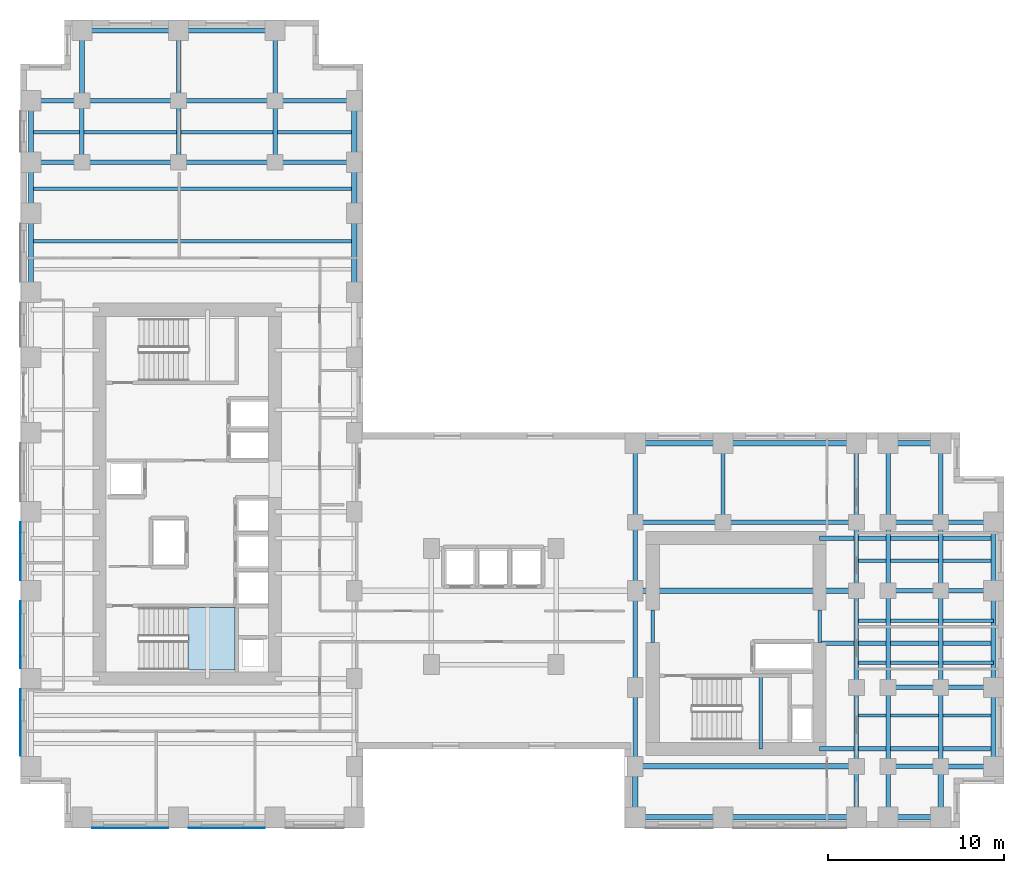
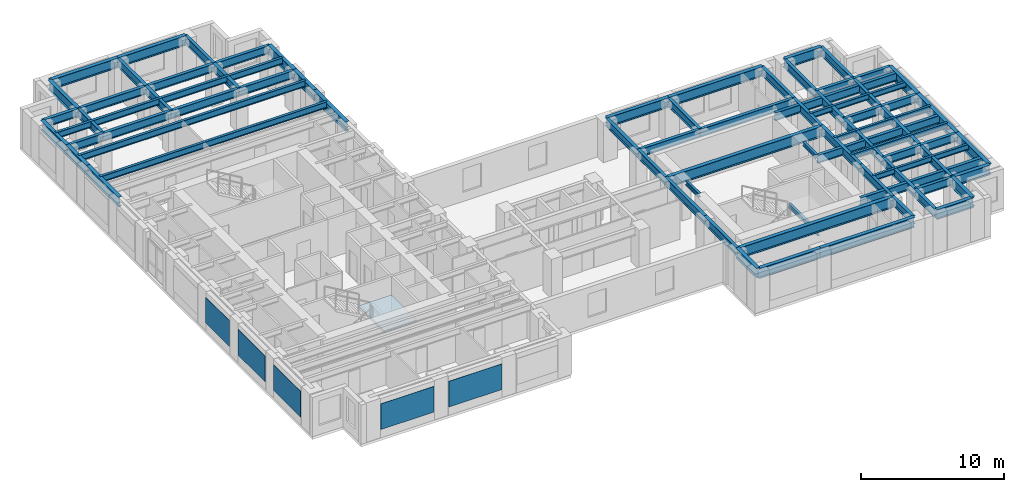
# One storey, part 5 of 14: 77 beams, 5 plates, 1 slab, 1 element without a shape of its own.
"""IFC4 building model written with IfcOpenShell, lengths in metres."""

from ifc_helpers import new_model, si_unit, direction, frame, origin, origin_2d, place, context, subcontext, project, spatial, polyline, rectangle, i_section, outline, extrude, source, transform, mapped, material, layer, layer_set, material_profile, profile_set, type_object, element, aggregate, save


model = new_model("IFC4")

# Units and contexts
model_context = context("Model", 3, precision=1e-05, world=origin(), true_north=direction((0.0, 1.0)))
body_context = subcontext(model_context, "Body", "Model", "MODEL_VIEW")
ifc_project = project(units=[si_unit("LENGTHUNIT", "METRE"), si_unit("AREAUNIT", "SQUARE_METRE"), si_unit("VOLUMEUNIT", "CUBIC_METRE"), si_unit("PLANEANGLEUNIT", "RADIAN"), si_unit("MASSUNIT", "GRAM", prefix="KILO")], contexts=[model_context])

# Site, building, storey
site_placement = place(None, origin())
site = spatial("IfcSite", under=ifc_project, at=site_placement, CompositionType="ELEMENT")
building_placement = place(site_placement, origin())
building = spatial("IfcBuilding", under=site, at=building_placement, Name="Kharzan Plaza Tower", CompositionType="ELEMENT")
storey_placement = place(building_placement, frame((0.0, 0.0, 81.0)))
storey = spatial("IfcBuildingStorey", under=building, at=storey_placement, Name="L21", CompositionType="ELEMENT", Elevation=81.0)

# Beams
ifc_material_1 = material(Name="Steel S355", Category="steel")
ifc_material_profile_1 = material_profile(ifc_material_1, i_section(OverallWidth=0.205078125, OverallDepth=0.35400390625, WebThickness=0.009521484375, FlangeThickness=0.016845703125, at=origin_2d()), Name="W360x79")
ifc_profile_set_1 = profile_set([ifc_material_profile_1], Name="Steel S355")
beam_type_1 = type_object("IfcBeamType", Name="BM-LNT360", PredefinedType="LINTEL", material=ifc_profile_set_1)
shared_shape_1 = source(origin(), body_context, "Body", "SweptSolid", [
    extrude(i_section(OverallWidth=0.205078125, OverallDepth=0.35400390625, WebThickness=0.009521484375, FlangeThickness=0.016845703125, at=origin_2d()), origin(), (0.0, 0.0, 1.0), 1.849853515625),
])
for number, where, z_axis, x_axis, name in (
    (1, (45.5, 10.550048828125, 3.202880859375), (0.0, 1.0, 0.0), (-1.0, 0.0, 0.0), "L21 CORE-B coupling lintel LN1-WE"),
    (2, (36.0, 10.550048828125, 3.202880859375), (0.0, 1.0, 0.0), (-1.0, 0.0, 0.0), "L21 CORE-B coupling lintel LN1-WW"),
):
    element("IfcBeam", number, at=place(storey_placement, frame(where, z_axis=z_axis, x_axis=x_axis)), inside=storey, type_object=beam_type_1, Name=name, PredefinedType="LINTEL", context=body_context, shape_type="MappedRepresentation", body=[
        mapped(shared_shape_1, transform((0.0, 0.0, 0.0), x_axis=(1.0, 0.0, 0.0), y_axis=(0.0, 1.0, 0.0), z_axis=(0.0, 0.0, 1.0))),
    ])
shared_shape_2 = source(origin(), body_context, "Body", "SweptSolid", [
    extrude(i_section(OverallWidth=0.205078125, OverallDepth=0.35400390625, WebThickness=0.009521484375, FlangeThickness=0.016845703125, at=origin_2d()), origin(), (0.0, 0.0, 1.0), 4.155029296875),
])
beam_1_placement = place(storey_placement, frame((42.14990234375, 4.5, 1.423095703125), z_axis=(0.0, 1.0, 0.0), x_axis=(-1.0, 0.0, 0.0)))
element("IfcBeam", 3, at=beam_1_placement, inside=storey, type_object=beam_type_1, Name="L21 Stair ST-3 Half-Landing Beam", PredefinedType="LINTEL", context=body_context, shape_type="MappedRepresentation", body=[
    mapped(shared_shape_2, transform((0.0, 0.0, 0.0), x_axis=(1.0, 0.0, 0.0), y_axis=(0.0, 1.0, 0.0), z_axis=(0.0, 0.0, 1.0))),
])
ifc_material_profile_2 = material_profile(ifc_material_1, i_section(OverallWidth=0.304931640625, OverallDepth=0.9189453125, WebThickness=0.017333984375, FlangeThickness=0.02783203125, at=origin_2d()), Name="W920x253")
ifc_profile_set_2 = profile_set([ifc_material_profile_2], Name="Steel S355")
beam_type_2 = type_object("IfcBeamType", Name="BM-FG920B", PredefinedType="BEAM", material=ifc_profile_set_2)
shared_shape_3 = source(origin(), body_context, "Body", "SweptSolid", [
    extrude(i_section(OverallWidth=0.304931640625, OverallDepth=0.9189453125, WebThickness=0.017333984375, FlangeThickness=0.02783203125, at=origin_2d()), origin(), (0.0, 0.0, 1.0), 12.60009765625),
])
for number, where, z_axis, x_axis, name in (
    (4, (35.0, 3.5, 2.92041015625), (1.0, 0.0, 0.0), (0.0, 1.0, 0.0), "L21 Primary Floor Girder"),
    (5, (35.0, 13.5, 2.92041015625), (1.0, 0.0, 0.0), (0.0, 1.0, 0.0), "L21 Primary Floor Girder"),
):
    element("IfcBeam", number, at=place(storey_placement, frame(where, z_axis=z_axis, x_axis=x_axis)), inside=storey, type_object=beam_type_2, Name=name, PredefinedType="BEAM", context=body_context, shape_type="MappedRepresentation", body=[
        mapped(shared_shape_3, transform((0.0, 0.0, 0.0), x_axis=(1.0, 0.0, 0.0), y_axis=(0.0, 1.0, 0.0), z_axis=(0.0, 0.0, 1.0))),
    ])
ifc_material_profile_3 = material_profile(ifc_material_1, i_section(OverallWidth=0.2099609375, OverallDepth=0.537109375, WebThickness=0.010986328125, FlangeThickness=0.017333984375, at=origin_2d()), Name="W530x101")
ifc_profile_set_3 = profile_set([ifc_material_profile_3], Name="Steel S355")
beam_type_3 = type_object("IfcBeamType", Name="BM-JST530B", PredefinedType="JOIST", material=ifc_profile_set_3)
shared_shape_4 = source(origin(), body_context, "Body", "SweptSolid", [
    extrude(i_section(OverallWidth=0.2099609375, OverallDepth=0.537109375, WebThickness=0.010986328125, FlangeThickness=0.017333984375, at=origin_2d()), origin(), (0.0, 0.0, 1.0), 18.39990234375),
])
for number, where, z_axis, x_axis, name in (
    (6, (0.60009765625, 33.39990234375, 3.111572265625), (1.0, 0.0, 0.0), (0.0, 1.0, 0.0), "L21 Wing A Composite Joist 05"),
    (7, (0.60009765625, 36.39990234375, 3.111572265625), (1.0, 0.0, 0.0), (0.0, 1.0, 0.0), "L21 Wing A Composite Joist 06"),
    (8, (0.60009765625, 39.60009765625, 3.111572265625), (1.0, 0.0, 0.0), (0.0, 1.0, 0.0), "L21 Wing A Composite Joist 07"),
):
    element("IfcBeam", number, at=place(storey_placement, frame(where, z_axis=z_axis, x_axis=x_axis)), inside=storey, type_object=beam_type_3, Name=name, PredefinedType="JOIST", context=body_context, shape_type="MappedRepresentation", body=[
        mapped(shared_shape_4, transform((0.0, 0.0, 0.0), x_axis=(1.0, 0.0, 0.0), y_axis=(0.0, 1.0, 0.0), z_axis=(0.0, 0.0, 1.0))),
    ])
ifc_material_profile_4 = material_profile(ifc_material_1, i_section(OverallWidth=0.25390625, OverallDepth=0.68798828125, WebThickness=0.01318359375, FlangeThickness=0.02099609375, at=origin_2d()), Name="W690x152")
ifc_profile_set_4 = profile_set([ifc_material_profile_4], Name="Steel S355")
beam_type_4 = type_object("IfcBeamType", Name="BM-FG690B", PredefinedType="BEAM", material=ifc_profile_set_4)
shared_shape_5 = source(origin(), body_context, "Body", "SweptSolid", [
    extrude(i_section(OverallWidth=0.25390625, OverallDepth=0.68798828125, WebThickness=0.01318359375, FlangeThickness=0.02099609375, at=origin_2d()), origin(), (0.0, 0.0, 1.0), 4.5),
])
for number, where, z_axis, x_axis, name in (
    (9, (35.0, 3.5, 3.035888671875), (0.0, 1.0, 0.0), (-1.0, 0.0, 0.0), "L21 Interior Frame Girder"),
    (10, (35.0, 17.39990234375, 3.035888671875), (0.0, 1.0, 0.0), (-1.0, 0.0, 0.0), "L21 Interior Frame Girder"),
    (11, (40.0, 17.39990234375, 3.035888671875), (0.0, 1.0, 0.0), (-1.0, 0.0, 0.0), "L21 Interior Frame Girder"),
    (12, (47.60009765625, 3.5, 3.035888671875), (0.0, 1.0, 0.0), (-1.0, 0.0, 0.0), "L21 Interior Frame Girder"),
    (13, (47.60009765625, 17.39990234375, 3.035888671875), (0.0, 1.0, 0.0), (-1.0, 0.0, 0.0), "L21 Interior Frame Girder"),
    (14, (49.39990234375, 3.5, 3.035888671875), (0.0, 1.0, 0.0), (-1.0, 0.0, 0.0), "L21 Interior Frame Girder"),
    (15, (49.39990234375, 17.39990234375, 3.035888671875), (0.0, 1.0, 0.0), (-1.0, 0.0, 0.0), "L21 Interior Frame Girder"),
    (16, (52.39990234375, 3.5, 3.035888671875), (0.0, 1.0, 0.0), (-1.0, 0.0, 0.0), "L21 Interior Frame Girder"),
    (17, (52.39990234375, 17.39990234375, 3.035888671875), (0.0, 1.0, 0.0), (-1.0, 0.0, 0.0), "L21 Interior Frame Girder"),
    (18, (14.5, 37.89990234375, 3.035888671875), (1.0, 0.0, 0.0), (0.0, 1.0, 0.0), "L21 Primary Floor Girder"),
    (19, (14.5, 41.39990234375, 3.035888671875), (1.0, 0.0, 0.0), (0.0, 1.0, 0.0), "L21 Primary Floor Girder"),
):
    element("IfcBeam", number, at=place(storey_placement, frame(where, z_axis=z_axis, x_axis=x_axis)), inside=storey, type_object=beam_type_4, Name=name, PredefinedType="BEAM", context=body_context, shape_type="MappedRepresentation", body=[
        mapped(shared_shape_5, transform((0.0, 0.0, 0.0), x_axis=(1.0, 0.0, 0.0), y_axis=(0.0, 1.0, 0.0), z_axis=(0.0, 0.0, 1.0))),
    ])
shared_shape_6 = source(origin(), body_context, "Body", "SweptSolid", [
    extrude(i_section(OverallWidth=0.25390625, OverallDepth=0.68798828125, WebThickness=0.01318359375, FlangeThickness=0.02099609375, at=origin_2d()), origin(), (0.0, 0.0, 1.0), 3.89990234375),
])
for number, where, z_axis, x_axis, name in (
    (20, (35.0, 13.5, 3.035888671875), (0.0, 1.0, 0.0), (-1.0, 0.0, 0.0), "L21 Interior Frame Girder"),
    (21, (47.60009765625, 13.5, 3.035888671875), (0.0, 1.0, 0.0), (-1.0, 0.0, 0.0), "L21 Interior Frame Girder"),
    (22, (49.39990234375, 13.5, 3.035888671875), (0.0, 1.0, 0.0), (-1.0, 0.0, 0.0), "L21 Interior Frame Girder"),
    (23, (52.39990234375, 13.5, 3.035888671875), (0.0, 1.0, 0.0), (-1.0, 0.0, 0.0), "L21 Interior Frame Girder"),
):
    element("IfcBeam", number, at=place(storey_placement, frame(where, z_axis=z_axis, x_axis=x_axis)), inside=storey, type_object=beam_type_4, Name=name, PredefinedType="BEAM", context=body_context, shape_type="MappedRepresentation", body=[
        mapped(shared_shape_6, transform((0.0, 0.0, 0.0), x_axis=(1.0, 0.0, 0.0), y_axis=(0.0, 1.0, 0.0), z_axis=(0.0, 0.0, 1.0))),
    ])
shared_shape_7 = source(origin(), body_context, "Body", "SweptSolid", [
    extrude(i_section(OverallWidth=0.25390625, OverallDepth=0.68798828125, WebThickness=0.01318359375, FlangeThickness=0.02099609375, at=origin_2d()), origin(), (0.0, 0.0, 1.0), 9.89990234375),
])
for number, where, z_axis, x_axis, name in (
    (24, (45.5, 4.5, 3.035888671875), (1.0, 0.0, 0.0), (0.0, 1.0, 0.0), "L21 Core-B East Floor Girder 1"),
    (25, (45.5, 10.5, 3.035888671875), (1.0, 0.0, 0.0), (0.0, 1.0, 0.0), "L21 Core-B East Floor Girder 2"),
    (26, (45.5, 16.5, 3.035888671875), (1.0, 0.0, 0.0), (0.0, 1.0, 0.0), "L21 Core-B East Floor Girder 3"),
):
    element("IfcBeam", number, at=place(storey_placement, frame(where, z_axis=z_axis, x_axis=x_axis)), inside=storey, type_object=beam_type_4, Name=name, PredefinedType="BEAM", context=body_context, shape_type="MappedRepresentation", body=[
        mapped(shared_shape_7, transform((0.0, 0.0, 0.0), x_axis=(1.0, 0.0, 0.0), y_axis=(0.0, 1.0, 0.0), z_axis=(0.0, 0.0, 1.0))),
    ])
shared_shape_8 = source(origin(), body_context, "Body", "SweptSolid", [
    extrude(i_section(OverallWidth=0.25390625, OverallDepth=0.68798828125, WebThickness=0.01318359375, FlangeThickness=0.02099609375, at=origin_2d()), origin(), (0.0, 0.0, 1.0), 3.5),
])
for number, where, z_axis, x_axis, name in (
    (27, (3.5, 37.89990234375, 3.035888671875), (0.0, 1.0, 0.0), (-1.0, 0.0, 0.0), "L21 Interior Frame Girder"),
    (28, (9.0, 37.89990234375, 3.035888671875), (0.0, 1.0, 0.0), (-1.0, 0.0, 0.0), "L21 Interior Frame Girder"),
    (29, (14.5, 37.89990234375, 3.035888671875), (0.0, 1.0, 0.0), (-1.0, 0.0, 0.0), "L21 Interior Frame Girder"),
):
    element("IfcBeam", number, at=place(storey_placement, frame(where, z_axis=z_axis, x_axis=x_axis)), inside=storey, type_object=beam_type_4, Name=name, PredefinedType="BEAM", context=body_context, shape_type="MappedRepresentation", body=[
        mapped(shared_shape_8, transform((0.0, 0.0, 0.0), x_axis=(1.0, 0.0, 0.0), y_axis=(0.0, 1.0, 0.0), z_axis=(0.0, 0.0, 1.0))),
    ])
shared_shape_9 = source(origin(), body_context, "Body", "SweptSolid", [
    extrude(i_section(OverallWidth=0.25390625, OverallDepth=0.68798828125, WebThickness=0.01318359375, FlangeThickness=0.02099609375, at=origin_2d()), origin(), (0.0, 0.0, 1.0), 4.0),
])
for number, where, z_axis, x_axis, name in (
    (30, (9.0, 41.39990234375, 3.035888671875), (0.0, 1.0, 0.0), (-1.0, 0.0, 0.0), "L21 Interior Frame Girder"),
    (31, (14.5, 41.39990234375, 3.035888671875), (0.0, 1.0, 0.0), (-1.0, 0.0, 0.0), "L21 Interior Frame Girder"),
):
    element("IfcBeam", number, at=place(storey_placement, frame(where, z_axis=z_axis, x_axis=x_axis)), inside=storey, type_object=beam_type_4, Name=name, PredefinedType="BEAM", context=body_context, shape_type="MappedRepresentation", body=[
        mapped(shared_shape_9, transform((0.0, 0.0, 0.0), x_axis=(1.0, 0.0, 0.0), y_axis=(0.0, 1.0, 0.0), z_axis=(0.0, 0.0, 1.0))),
    ])
shared_shape_10 = source(origin(), body_context, "Body", "SweptSolid", [
    extrude(i_section(OverallWidth=0.25390625, OverallDepth=0.68798828125, WebThickness=0.01318359375, FlangeThickness=0.02099609375, at=origin_2d()), origin(), (0.0, 0.0, 1.0), 5.0),
])
beam_2_placement = place(storey_placement, frame((35.0, 17.39990234375, 3.035888671875), z_axis=(1.0, 0.0, 0.0), x_axis=(0.0, 1.0, 0.0)))
element("IfcBeam", 32, at=beam_2_placement, inside=storey, type_object=beam_type_4, Name="L21 Primary Floor Girder", PredefinedType="BEAM", context=body_context, shape_type="MappedRepresentation", body=[
    mapped(shared_shape_10, transform((0.0, 0.0, 0.0), x_axis=(1.0, 0.0, 0.0), y_axis=(0.0, 1.0, 0.0), z_axis=(0.0, 0.0, 1.0))),
])
shared_shape_11 = source(origin(), body_context, "Body", "SweptSolid", [
    extrude(i_section(OverallWidth=0.25390625, OverallDepth=0.68798828125, WebThickness=0.01318359375, FlangeThickness=0.02099609375, at=origin_2d()), origin(), (0.0, 0.0, 1.0), 5.5),
])
for number, where, z_axis, x_axis, name in (
    (33, (35.0, 8.0, 3.035888671875), (0.0, 1.0, 0.0), (-1.0, 0.0, 0.0), "L21 Interior Frame Girder"),
    (34, (47.60009765625, 8.0, 3.035888671875), (0.0, 1.0, 0.0), (-1.0, 0.0, 0.0), "L21 Interior Frame Girder"),
    (35, (49.39990234375, 8.0, 3.035888671875), (0.0, 1.0, 0.0), (-1.0, 0.0, 0.0), "L21 Interior Frame Girder"),
    (36, (52.39990234375, 8.0, 3.035888671875), (0.0, 1.0, 0.0), (-1.0, 0.0, 0.0), "L21 Interior Frame Girder"),
    (37, (3.5, 37.89990234375, 3.035888671875), (1.0, 0.0, 0.0), (0.0, 1.0, 0.0), "L21 Primary Floor Girder"),
    (38, (9.0, 37.89990234375, 3.035888671875), (1.0, 0.0, 0.0), (0.0, 1.0, 0.0), "L21 Primary Floor Girder"),
    (39, (3.5, 41.39990234375, 3.035888671875), (1.0, 0.0, 0.0), (0.0, 1.0, 0.0), "L21 Primary Floor Girder"),
    (40, (9.0, 41.39990234375, 3.035888671875), (1.0, 0.0, 0.0), (0.0, 1.0, 0.0), "L21 Primary Floor Girder"),
):
    element("IfcBeam", number, at=place(storey_placement, frame(where, z_axis=z_axis, x_axis=x_axis)), inside=storey, type_object=beam_type_4, Name=name, PredefinedType="BEAM", context=body_context, shape_type="MappedRepresentation", body=[
        mapped(shared_shape_11, transform((0.0, 0.0, 0.0), x_axis=(1.0, 0.0, 0.0), y_axis=(0.0, 1.0, 0.0), z_axis=(0.0, 0.0, 1.0))),
    ])
shared_shape_12 = source(origin(), body_context, "Body", "SweptSolid", [
    extrude(i_section(OverallWidth=0.25390625, OverallDepth=0.68798828125, WebThickness=0.01318359375, FlangeThickness=0.02099609375, at=origin_2d()), origin(), (0.0, 0.0, 1.0), 2.89990234375),
])
for number, where, z_axis, x_axis, name in (
    (41, (47.60009765625, 0.60009765625, 3.035888671875), (0.0, 1.0, 0.0), (-1.0, 0.0, 0.0), "L21 Interior Frame Girder"),
    (42, (49.39990234375, 0.60009765625, 3.035888671875), (0.0, 1.0, 0.0), (-1.0, 0.0, 0.0), "L21 Interior Frame Girder"),
    (43, (0.60009765625, 37.89990234375, 3.035888671875), (1.0, 0.0, 0.0), (0.0, 1.0, 0.0), "L21 Primary Floor Girder"),
    (44, (0.60009765625, 41.39990234375, 3.035888671875), (1.0, 0.0, 0.0), (0.0, 1.0, 0.0), "L21 Primary Floor Girder"),
):
    element("IfcBeam", number, at=place(storey_placement, frame(where, z_axis=z_axis, x_axis=x_axis)), inside=storey, type_object=beam_type_4, Name=name, PredefinedType="BEAM", context=body_context, shape_type="MappedRepresentation", body=[
        mapped(shared_shape_12, transform((0.0, 0.0, 0.0), x_axis=(1.0, 0.0, 0.0), y_axis=(0.0, 1.0, 0.0), z_axis=(0.0, 0.0, 1.0))),
    ])
shared_shape_13 = source(origin(), body_context, "Body", "SweptSolid", [
    extrude(i_section(OverallWidth=0.25390625, OverallDepth=0.68798828125, WebThickness=0.01318359375, FlangeThickness=0.02099609375, at=origin_2d()), origin(), (0.0, 0.0, 1.0), 3.0),
])
for number, where, z_axis, x_axis, name in (
    (45, (49.39990234375, 3.5, 3.035888671875), (1.0, 0.0, 0.0), (0.0, 1.0, 0.0), "L21 Primary Floor Girder"),
    (46, (49.39990234375, 8.0, 3.035888671875), (1.0, 0.0, 0.0), (0.0, 1.0, 0.0), "L21 Primary Floor Girder"),
    (47, (52.39990234375, 8.0, 3.035888671875), (1.0, 0.0, 0.0), (0.0, 1.0, 0.0), "L21 Primary Floor Girder"),
    (48, (49.39990234375, 13.5, 3.035888671875), (1.0, 0.0, 0.0), (0.0, 1.0, 0.0), "L21 Primary Floor Girder"),
    (49, (52.39990234375, 13.5, 3.035888671875), (1.0, 0.0, 0.0), (0.0, 1.0, 0.0), "L21 Primary Floor Girder"),
    (50, (49.39990234375, 17.39990234375, 3.035888671875), (1.0, 0.0, 0.0), (0.0, 1.0, 0.0), "L21 Primary Floor Girder"),
    (51, (52.39990234375, 17.39990234375, 3.035888671875), (1.0, 0.0, 0.0), (0.0, 1.0, 0.0), "L21 Primary Floor Girder"),
):
    element("IfcBeam", number, at=place(storey_placement, frame(where, z_axis=z_axis, x_axis=x_axis)), inside=storey, type_object=beam_type_4, Name=name, PredefinedType="BEAM", context=body_context, shape_type="MappedRepresentation", body=[
        mapped(shared_shape_13, transform((0.0, 0.0, 0.0), x_axis=(1.0, 0.0, 0.0), y_axis=(0.0, 1.0, 0.0), z_axis=(0.0, 0.0, 1.0))),
    ])
shared_shape_14 = source(origin(), body_context, "Body", "SweptSolid", [
    extrude(i_section(OverallWidth=0.25390625, OverallDepth=0.68798828125, WebThickness=0.01318359375, FlangeThickness=0.02099609375, at=origin_2d()), origin(), (0.0, 0.0, 1.0), 7.60009765625),
])
beam_3_placement = place(storey_placement, frame((40.0, 17.39990234375, 3.035888671875), z_axis=(1.0, 0.0, 0.0), x_axis=(0.0, 1.0, 0.0)))
element("IfcBeam", 52, at=beam_3_placement, inside=storey, type_object=beam_type_4, Name="L21 Primary Floor Girder", PredefinedType="BEAM", context=body_context, shape_type="MappedRepresentation", body=[
    mapped(shared_shape_14, transform((0.0, 0.0, 0.0), x_axis=(1.0, 0.0, 0.0), y_axis=(0.0, 1.0, 0.0), z_axis=(0.0, 0.0, 1.0))),
])
ifc_material_profile_5 = material_profile(ifc_material_1, i_section(OverallWidth=0.194091796875, OverallDepth=0.468994140625, WebThickness=0.011474609375, FlangeThickness=0.0205078125, at=origin_2d()), Name="W460x106")
ifc_profile_set_5 = profile_set([ifc_material_profile_5], Name="Steel S355")
beam_type_5 = type_object("IfcBeamType", Name="BM-JST460", PredefinedType="JOIST", material=ifc_profile_set_5)
shared_shape_15 = source(origin(), body_context, "Body", "SweptSolid", [
    extrude(i_section(OverallWidth=0.194091796875, OverallDepth=0.468994140625, WebThickness=0.011474609375, FlangeThickness=0.0205078125, at=origin_2d()), origin(), (0.0, 0.0, 1.0), 7.7998046875),
])
for number, where, z_axis, x_axis, name in (
    (53, (47.60009765625, 6.39990234375, 3.1455078125), (1.0, 0.0, 0.0), (0.0, 1.0, 0.0), "L21 Wing B Composite Joist 02"),
    (54, (47.60009765625, 9.39990234375, 3.1455078125), (1.0, 0.0, 0.0), (0.0, 1.0, 0.0), "L21 Wing B Composite Joist 03"),
    (55, (47.60009765625, 11.800048828125, 3.1455078125), (1.0, 0.0, 0.0), (0.0, 1.0, 0.0), "L21 Wing B Composite Joist 04"),
    (56, (47.60009765625, 15.199951171875, 3.1455078125), (1.0, 0.0, 0.0), (0.0, 1.0, 0.0), "L21 Wing B Composite Joist 05"),
):
    element("IfcBeam", number, at=place(storey_placement, frame(where, z_axis=z_axis, x_axis=x_axis)), inside=storey, type_object=beam_type_5, Name=name, PredefinedType="JOIST", context=body_context, shape_type="MappedRepresentation", body=[
        mapped(shared_shape_15, transform((0.0, 0.0, 0.0), x_axis=(1.0, 0.0, 0.0), y_axis=(0.0, 1.0, 0.0), z_axis=(0.0, 0.0, 1.0))),
    ])
ifc_material_profile_6 = material_profile(ifc_material_1, i_section(OverallWidth=0.299072265625, OverallDepth=0.845947265625, WebThickness=0.015380859375, FlangeThickness=0.0244140625, at=origin_2d()), Name="W840x210")
ifc_profile_set_6 = profile_set([ifc_material_profile_6], Name="Steel S355")
beam_type_6 = type_object("IfcBeamType", Name="BM-SP840B", PredefinedType="SPANDREL", material=ifc_profile_set_6)
shared_shape_16 = source(origin(), body_context, "Body", "SweptSolid", [
    extrude(i_section(OverallWidth=0.299072265625, OverallDepth=0.845947265625, WebThickness=0.015380859375, FlangeThickness=0.0244140625, at=origin_2d()), origin(), (0.0, 0.0, 1.0), 5.0),
])
for number, where, z_axis, x_axis, name in (
    (57, (35.0, 0.60009765625, 2.95703125), (1.0, 0.0, 0.0), (0.0, 1.0, 0.0), "L21 Perimeter Tube Spandrel"),
    (58, (35.0, 21.89990234375, 2.95703125), (1.0, 0.0, 0.0), (0.0, 1.0, 0.0), "L21 Perimeter Tube Spandrel"),
):
    element("IfcBeam", number, at=place(storey_placement, frame(where, z_axis=z_axis, x_axis=x_axis)), inside=storey, type_object=beam_type_6, Name=name, PredefinedType="SPANDREL", context=body_context, shape_type="MappedRepresentation", body=[
        mapped(shared_shape_16, transform((0.0, 0.0, 0.0), x_axis=(1.0, 0.0, 0.0), y_axis=(0.0, 1.0, 0.0), z_axis=(0.0, 0.0, 1.0))),
    ])
shared_shape_17 = source(origin(), body_context, "Body", "SweptSolid", [
    extrude(i_section(OverallWidth=0.299072265625, OverallDepth=0.845947265625, WebThickness=0.015380859375, FlangeThickness=0.0244140625, at=origin_2d()), origin(), (0.0, 0.0, 1.0), 4.5),
])
for number, where, z_axis, x_axis, name in (
    (59, (0.60009765625, 30.5, 2.95703125), (0.0, 1.0, 0.0), (-1.0, 0.0, 0.0), "L21 Perimeter Tube Spandrel"),
    (60, (19.0, 30.5, 2.95703125), (0.0, 1.0, 0.0), (-1.0, 0.0, 0.0), "L21 Perimeter Tube Spandrel"),
    (61, (55.39990234375, 3.5, 2.95703125), (0.0, 1.0, 0.0), (-1.0, 0.0, 0.0), "L21 Perimeter Tube Spandrel"),
):
    element("IfcBeam", number, at=place(storey_placement, frame(where, z_axis=z_axis, x_axis=x_axis)), inside=storey, type_object=beam_type_6, Name=name, PredefinedType="SPANDREL", context=body_context, shape_type="MappedRepresentation", body=[
        mapped(shared_shape_17, transform((0.0, 0.0, 0.0), x_axis=(1.0, 0.0, 0.0), y_axis=(0.0, 1.0, 0.0), z_axis=(0.0, 0.0, 1.0))),
    ])
shared_shape_18 = source(origin(), body_context, "Body", "SweptSolid", [
    extrude(i_section(OverallWidth=0.299072265625, OverallDepth=0.845947265625, WebThickness=0.015380859375, FlangeThickness=0.0244140625, at=origin_2d()), origin(), (0.0, 0.0, 1.0), 2.89990234375),
])
for number, where, z_axis, x_axis, name in (
    (62, (0.60009765625, 35.0, 2.95703125), (0.0, 1.0, 0.0), (-1.0, 0.0, 0.0), "L21 Perimeter Tube Spandrel"),
    (63, (19.0, 35.0, 2.95703125), (0.0, 1.0, 0.0), (-1.0, 0.0, 0.0), "L21 Perimeter Tube Spandrel"),
    (64, (35.0, 0.60009765625, 2.95703125), (0.0, 1.0, 0.0), (-1.0, 0.0, 0.0), "L21 Perimeter Tube Spandrel"),
    (65, (52.39990234375, 0.60009765625, 2.95703125), (0.0, 1.0, 0.0), (-1.0, 0.0, 0.0), "L21 Perimeter Tube Spandrel"),
):
    element("IfcBeam", number, at=place(storey_placement, frame(where, z_axis=z_axis, x_axis=x_axis)), inside=storey, type_object=beam_type_6, Name=name, PredefinedType="SPANDREL", context=body_context, shape_type="MappedRepresentation", body=[
        mapped(shared_shape_18, transform((0.0, 0.0, 0.0), x_axis=(1.0, 0.0, 0.0), y_axis=(0.0, 1.0, 0.0), z_axis=(0.0, 0.0, 1.0))),
    ])
shared_shape_19 = source(origin(), body_context, "Body", "SweptSolid", [
    extrude(i_section(OverallWidth=0.299072265625, OverallDepth=0.845947265625, WebThickness=0.015380859375, FlangeThickness=0.0244140625, at=origin_2d()), origin(), (0.0, 0.0, 1.0), 3.5),
])
for number, where, z_axis, x_axis, name in (
    (66, (0.60009765625, 37.89990234375, 2.95703125), (0.0, 1.0, 0.0), (-1.0, 0.0, 0.0), "L21 Perimeter Tube Spandrel"),
    (67, (19.0, 37.89990234375, 2.95703125), (0.0, 1.0, 0.0), (-1.0, 0.0, 0.0), "L21 Perimeter Tube Spandrel"),
):
    element("IfcBeam", number, at=place(storey_placement, frame(where, z_axis=z_axis, x_axis=x_axis)), inside=storey, type_object=beam_type_6, Name=name, PredefinedType="SPANDREL", context=body_context, shape_type="MappedRepresentation", body=[
        mapped(shared_shape_19, transform((0.0, 0.0, 0.0), x_axis=(1.0, 0.0, 0.0), y_axis=(0.0, 1.0, 0.0), z_axis=(0.0, 0.0, 1.0))),
    ])
shared_shape_20 = source(origin(), body_context, "Body", "SweptSolid", [
    extrude(i_section(OverallWidth=0.299072265625, OverallDepth=0.845947265625, WebThickness=0.015380859375, FlangeThickness=0.0244140625, at=origin_2d()), origin(), (0.0, 0.0, 1.0), 4.0),
])
beam_4_placement = place(storey_placement, frame((3.5, 41.39990234375, 2.95703125), z_axis=(0.0, 1.0, 0.0), x_axis=(-1.0, 0.0, 0.0)))
element("IfcBeam", 68, at=beam_4_placement, inside=storey, type_object=beam_type_6, Name="L21 Perimeter Tube Spandrel", PredefinedType="SPANDREL", context=body_context, shape_type="MappedRepresentation", body=[
    mapped(shared_shape_20, transform((0.0, 0.0, 0.0), x_axis=(1.0, 0.0, 0.0), y_axis=(0.0, 1.0, 0.0), z_axis=(0.0, 0.0, 1.0))),
])
shared_shape_21 = source(origin(), body_context, "Body", "SweptSolid", [
    extrude(i_section(OverallWidth=0.299072265625, OverallDepth=0.845947265625, WebThickness=0.015380859375, FlangeThickness=0.0244140625, at=origin_2d()), origin(), (0.0, 0.0, 1.0), 5.5),
])
for number, where, z_axis, x_axis, name in (
    (69, (55.39990234375, 8.0, 2.95703125), (0.0, 1.0, 0.0), (-1.0, 0.0, 0.0), "L21 Perimeter Tube Spandrel"),
    (70, (3.5, 45.39990234375, 2.95703125), (1.0, 0.0, 0.0), (0.0, 1.0, 0.0), "L21 Perimeter Tube Spandrel"),
    (71, (9.0, 45.39990234375, 2.95703125), (1.0, 0.0, 0.0), (0.0, 1.0, 0.0), "L21 Perimeter Tube Spandrel"),
):
    element("IfcBeam", number, at=place(storey_placement, frame(where, z_axis=z_axis, x_axis=x_axis)), inside=storey, type_object=beam_type_6, Name=name, PredefinedType="SPANDREL", context=body_context, shape_type="MappedRepresentation", body=[
        mapped(shared_shape_21, transform((0.0, 0.0, 0.0), x_axis=(1.0, 0.0, 0.0), y_axis=(0.0, 1.0, 0.0), z_axis=(0.0, 0.0, 1.0))),
    ])
shared_shape_22 = source(origin(), body_context, "Body", "SweptSolid", [
    extrude(i_section(OverallWidth=0.299072265625, OverallDepth=0.845947265625, WebThickness=0.015380859375, FlangeThickness=0.0244140625, at=origin_2d()), origin(), (0.0, 0.0, 1.0), 3.89990234375),
])
beam_5_placement = place(storey_placement, frame((55.39990234375, 13.5, 2.95703125), z_axis=(0.0, 1.0, 0.0), x_axis=(-1.0, 0.0, 0.0)))
element("IfcBeam", 72, at=beam_5_placement, inside=storey, type_object=beam_type_6, Name="L21 Perimeter Tube Spandrel", PredefinedType="SPANDREL", context=body_context, shape_type="MappedRepresentation", body=[
    mapped(shared_shape_22, transform((0.0, 0.0, 0.0), x_axis=(1.0, 0.0, 0.0), y_axis=(0.0, 1.0, 0.0), z_axis=(0.0, 0.0, 1.0))),
])
shared_shape_23 = source(origin(), body_context, "Body", "SweptSolid", [
    extrude(i_section(OverallWidth=0.299072265625, OverallDepth=0.845947265625, WebThickness=0.015380859375, FlangeThickness=0.0244140625, at=origin_2d()), origin(), (0.0, 0.0, 1.0), 7.60009765625),
])
for number, where, z_axis, x_axis, name in (
    (73, (40.0, 0.60009765625, 2.95703125), (1.0, 0.0, 0.0), (0.0, 1.0, 0.0), "L21 Perimeter Tube Spandrel"),
    (74, (40.0, 21.89990234375, 2.95703125), (1.0, 0.0, 0.0), (0.0, 1.0, 0.0), "L21 Perimeter Tube Spandrel"),
):
    element("IfcBeam", number, at=place(storey_placement, frame(where, z_axis=z_axis, x_axis=x_axis)), inside=storey, type_object=beam_type_6, Name=name, PredefinedType="SPANDREL", context=body_context, shape_type="MappedRepresentation", body=[
        mapped(shared_shape_23, transform((0.0, 0.0, 0.0), x_axis=(1.0, 0.0, 0.0), y_axis=(0.0, 1.0, 0.0), z_axis=(0.0, 0.0, 1.0))),
    ])
shared_shape_24 = source(origin(), body_context, "Body", "SweptSolid", [
    extrude(i_section(OverallWidth=0.299072265625, OverallDepth=0.845947265625, WebThickness=0.015380859375, FlangeThickness=0.0244140625, at=origin_2d()), origin(), (0.0, 0.0, 1.0), 3.0),
])
for number, where, z_axis, x_axis, name in (
    (75, (49.39990234375, 0.60009765625, 2.95703125), (1.0, 0.0, 0.0), (0.0, 1.0, 0.0), "L21 Perimeter Tube Spandrel"),
    (76, (52.39990234375, 3.5, 2.95703125), (1.0, 0.0, 0.0), (0.0, 1.0, 0.0), "L21 Perimeter Tube Spandrel"),
    (77, (49.39990234375, 21.89990234375, 2.95703125), (1.0, 0.0, 0.0), (0.0, 1.0, 0.0), "L21 Perimeter Tube Spandrel"),
):
    element("IfcBeam", number, at=place(storey_placement, frame(where, z_axis=z_axis, x_axis=x_axis)), inside=storey, type_object=beam_type_6, Name=name, PredefinedType="SPANDREL", context=body_context, shape_type="MappedRepresentation", body=[
        mapped(shared_shape_24, transform((0.0, 0.0, 0.0), x_axis=(1.0, 0.0, 0.0), y_axis=(0.0, 1.0, 0.0), z_axis=(0.0, 0.0, 1.0))),
    ])

# Stair, slab
ifc_material_2 = material(Name="Concrete C40/50", Category="concrete")
stair_type = type_object("IfcStairType", Name="STR-ST-1", PredefinedType="HALF_TURN_STAIR", material=ifc_material_2)
stair_placement = place(storey_placement, origin())
stair = element("IfcStair", 78, at=stair_placement, inside=storey, type_object=stair_type, Name="L21 Protected Exit Stair ST-1", PredefinedType="HALF_TURN_STAIR")
ifc_layer_1 = layer(ifc_material_2, 0.219970703125)
ifc_layer_set_1 = layer_set([ifc_layer_1], Name="Concrete C40/50")
slab_type = type_object("IfcSlabType", Name="SL-LANDING-220", PredefinedType="LANDING", material=ifc_layer_set_1)
slab_placement = place(storey_placement, frame((0.0, 0.0, 1.60009765625)))
slab = element("IfcSlab", 79, at=slab_placement, type_object=slab_type, Name="ST-1 landing 1", PredefinedType="LANDING", context=body_context, shape_type="SweptSolid", body=[
    extrude(outline(polyline([(9.550048828125, 9.0), (12.199951171875, 9.0), (12.199951171875, 12.550048828125), (9.550048828125, 12.550048828125), (9.550048828125, 9.0)])), origin(), (0.0, 0.0, 1.0), 0.199951171875),
])
aggregate(stair, [slab])

# Plates
ifc_material_3 = material(Name="Perforated Bronze-Anodized Aluminium", Category="aluminium")
ifc_layer_2 = layer(ifc_material_3, 0.030029296875)
ifc_layer_set_2 = layer_set([ifc_layer_2], Name="Perforated Bronze-Anodized Aluminium")
plate_type = type_object("IfcPlateType", Name="PLT-MASH-SCREEN", PredefinedType="SHEET", material=ifc_layer_set_2)
shared_shape_25 = source(origin(), body_context, "Body", "SweptSolid", [
    extrude(rectangle(XDim=3.31396484375, YDim=0.030029296875, at=origin_2d()), origin(), (0.0, 0.0, 1.0), 2.199951171875),
])
plate_placement = place(storey_placement, frame((-0.012939453125, 15.75, 0.72998046875), z_axis=(0.0, 0.0, 1.0), x_axis=(0.0, -1.0, 0.0)))
element("IfcPlate", 80, at=plate_placement, inside=storey, type_object=plate_type, Name="L21 Perforated Mashrabiya Solar Screen", PredefinedType="SHEET", context=body_context, shape_type="MappedRepresentation", body=[
    mapped(shared_shape_25, transform((0.0, 0.0, 0.0), x_axis=(1.0, 0.0, 0.0), y_axis=(0.0, 1.0, 0.0), z_axis=(0.0, 0.0, 1.0))),
])
shared_shape_26 = source(origin(), body_context, "Body", "SweptSolid", [
    extrude(rectangle(XDim=3.81396484375, YDim=0.030029296875, at=origin_2d()), origin(), (0.0, 0.0, 1.0), 2.199951171875),
])
for number, where, z_axis, x_axis, name in (
    (81, (-0.012939453125, 11.0, 0.72998046875), (0.0, 0.0, 1.0), (0.0, -1.0, 0.0), "L21 Perforated Mashrabiya Solar Screen"),
    (82, (-0.012939453125, 6.0, 0.72998046875), (0.0, 0.0, 1.0), (0.0, -1.0, 0.0), "L21 Perforated Mashrabiya Solar Screen"),
):
    element("IfcPlate", number, at=place(storey_placement, frame(where, z_axis=z_axis, x_axis=x_axis)), inside=storey, type_object=plate_type, Name=name, PredefinedType="SHEET", context=body_context, shape_type="MappedRepresentation", body=[
        mapped(shared_shape_26, transform((0.0, 0.0, 0.0), x_axis=(1.0, 0.0, 0.0), y_axis=(0.0, 1.0, 0.0), z_axis=(0.0, 0.0, 1.0))),
    ])
shared_shape_27 = source(origin(), body_context, "Body", "SweptSolid", [
    extrude(rectangle(XDim=4.31396484375, YDim=0.030029296875, at=origin_2d()), origin(), (0.0, 0.0, 1.0), 2.199951171875),
])
for number, where, z_axis, x_axis, name in (
    (83, (6.25, -0.012939453125, 0.72998046875), (0.0, 0.0, 1.0), (1.0, 0.0, 0.0), "L21 Perforated Mashrabiya Solar Screen"),
    (84, (11.75, -0.012939453125, 0.72998046875), (0.0, 0.0, 1.0), (1.0, 0.0, 0.0), "L21 Perforated Mashrabiya Solar Screen"),
):
    element("IfcPlate", number, at=place(storey_placement, frame(where, z_axis=z_axis, x_axis=x_axis)), inside=storey, type_object=plate_type, Name=name, PredefinedType="SHEET", context=body_context, shape_type="MappedRepresentation", body=[
        mapped(shared_shape_27, transform((0.0, 0.0, 0.0), x_axis=(1.0, 0.0, 0.0), y_axis=(0.0, 1.0, 0.0), z_axis=(0.0, 0.0, 1.0))),
    ])

save(model, "model.ifc")
